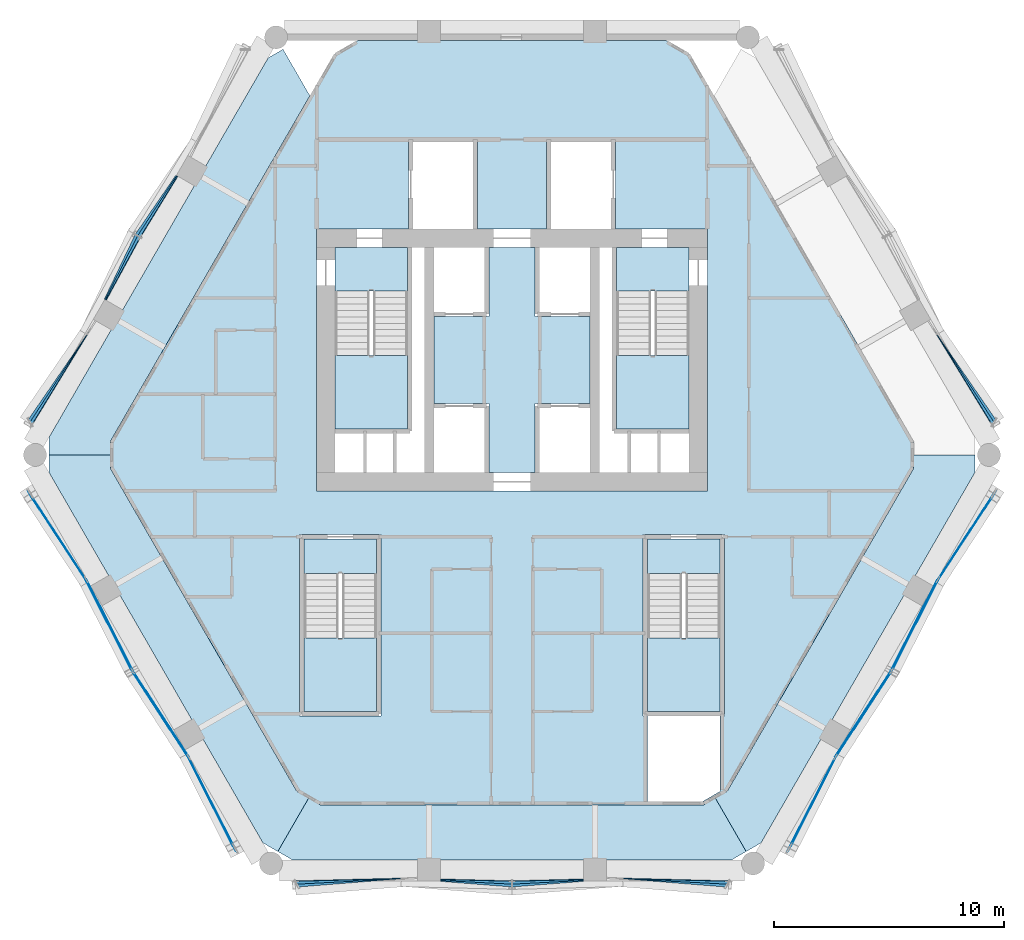
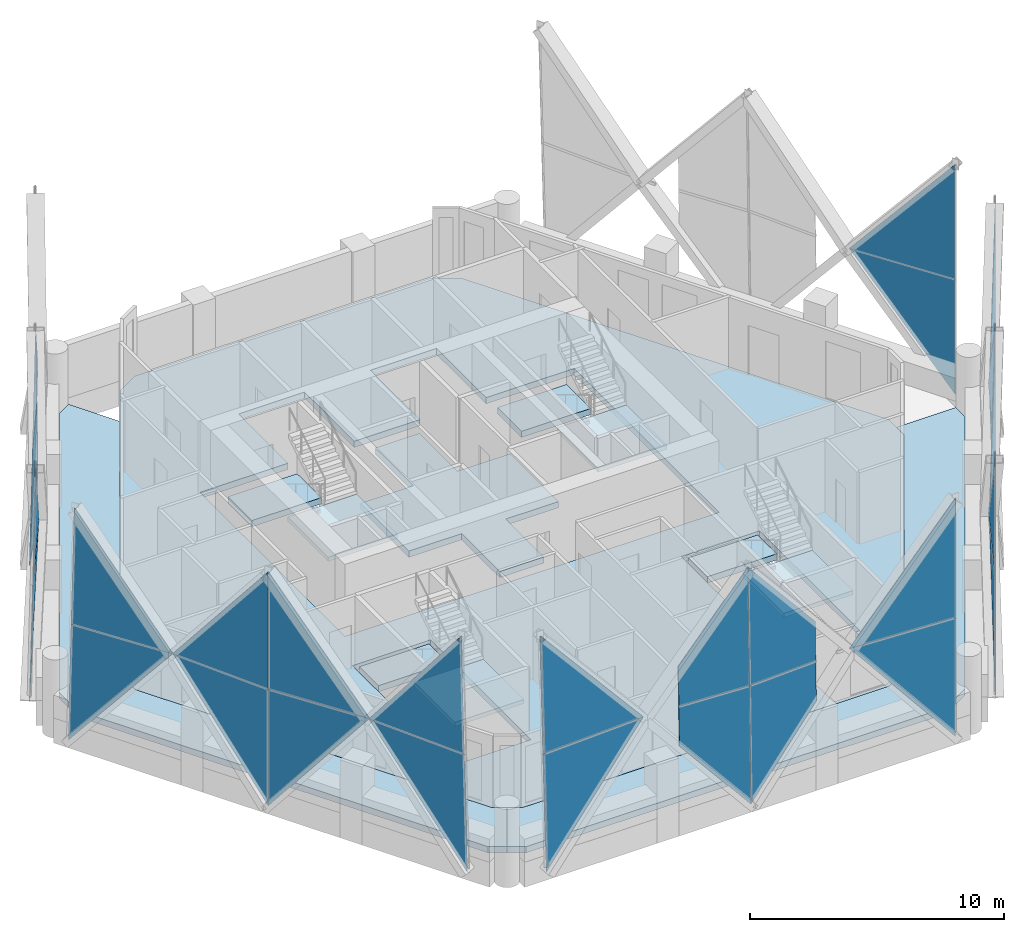
# One storey, part 8 of 19: 32 plates, 14 slabs, 22 elements without a shape of their own.
"""IFC4 building model written with IfcOpenShell, lengths in metres."""

from ifc_helpers import new_model, si_unit, direction, frame, origin, place, context, subcontext, project, spatial, polyline, outline, extrude, material, layer, layer_set, type_object, element, aggregate, save


model = new_model("IFC4")

# Units and contexts
model_context = context("Model", 3, precision=1e-05, world=origin(), true_north=direction((0.0, 1.0)))
body_context = subcontext(model_context, "Body", "Model", "MODEL_VIEW")
ifc_project = project(units=[si_unit("LENGTHUNIT", "METRE"), si_unit("AREAUNIT", "SQUARE_METRE"), si_unit("VOLUMEUNIT", "CUBIC_METRE"), si_unit("PLANEANGLEUNIT", "RADIAN"), si_unit("MASSUNIT", "GRAM", prefix="KILO")], contexts=[model_context])

# Site, building, storey
site_placement = place(None, origin())
site = spatial("IfcSite", under=ifc_project, at=site_placement, CompositionType="ELEMENT")
building_placement = place(site_placement, origin())
building = spatial("IfcBuilding", under=site, at=building_placement, Name="Ostrander Bayou Hotel Tower", CompositionType="ELEMENT")
storey_placement = place(building_placement, frame((0.0, 0.0, 164.5)))
storey = spatial("IfcBuildingStorey", under=building, at=storey_placement, Name="L40", CompositionType="ELEMENT", Elevation=164.5)

# Curtain wall, plate
ifc_material_1 = material(Name="Aluminium and clear glass", Category="aluminium")
curtain_wall_type = type_object("IfcCurtainWallType", Name="CW-LAT lattice glazing", PredefinedType="NOTDEFINED", material=ifc_material_1)
curtain_wall_1_placement = place(storey_placement, origin())
curtain_wall_1 = element("IfcCurtainWall", 1, at=curtain_wall_1_placement, inside=storey, type_object=curtain_wall_type, Name="CW-LAT L40 NW 1", PredefinedType="NOTDEFINED")
ifc_material_2 = material(Name="Clear laminated glass", Category="glass")
ifc_layer_1 = layer(ifc_material_2, 0.028076171875)
ifc_layer_set_1 = layer_set([ifc_layer_1], Name="CW-LA glazing panel 28 mm")
plate_type = type_object("IfcPlateType", Name="CW-LA glazing panel 28 mm", PredefinedType="CURTAIN_PANEL", material=ifc_layer_set_1)
plate_1_placement = place(storey_placement, frame((-14.6337890625, 12.044677734375, 3.140869140625), z_axis=(-0.838706203708, 0.544148703108, 0.021773671431), x_axis=(-0.362747177959, -0.528393744137, -0.767603111015)))
plate_1 = element("IfcPlate", 2, at=plate_1_placement, type_object=plate_type, Name="CW-LAT panel 3", PredefinedType="CURTAIN_PANEL", context=body_context, shape_type="SweptSolid", body=[
    extrude(outline(polyline([(0.0, 0.0), (4.873567382528961, -4.440892098500626e-16), (0.5496553047883483, 3.5999226632622934), (-1.446244545836942, 1.208158670764173), (0.0, 0.0)])), origin(), (0.0, 0.0, -1.0), 0.028076171875),
])

curtain_wall_2_placement = place(storey_placement, origin())
curtain_wall_2 = element("IfcCurtainWall", 3, at=curtain_wall_2_placement, inside=storey, type_object=curtain_wall_type, Name="CW-LAT L40 NW 2", PredefinedType="NOTDEFINED")
plate_2_placement = place(storey_placement, frame((-14.565185546875, 11.99951171875, 6.9150390625), z_axis=(-0.838712031431, 0.544140368898, 0.021757464643), x_axis=(-0.334157126185, -0.545779028489, 0.768416727486)))
plate_2 = element("IfcPlate", 4, at=plate_2_placement, type_object=plate_type, Name="CW-LAT panel 4", PredefinedType="CURTAIN_PANEL", context=body_context, shape_type="SweptSolid", body=[
    extrude(outline(polyline([(0.0, 0.0), (4.860470513680612, -4.440892098500626e-16), (0.5400360980131278, -3.604099784320524), (-1.453035166259682, -1.2095388296122298), (0.0, 0.0)])), origin(), (0.0, 0.0, -1.0), 0.028076171875),
])

curtain_wall_3_placement = place(storey_placement, origin())
curtain_wall_3 = element("IfcCurtainWall", 5, at=curtain_wall_3_placement, inside=storey, type_object=curtain_wall_type, Name="CW-LAT L40 NW 3", PredefinedType="NOTDEFINED")
plate_3_placement = place(storey_placement, frame((-17.74755859375, 6.651611328125, 3.14013671875), z_axis=(-0.890599187843, 0.454267158348, 0.021781539429), x_axis=(0.27621448921, 0.578330026162, -0.767619656334)))
plate_3 = element("IfcPlate", 6, at=plate_3_placement, type_object=plate_type, Name="CW-LAT panel 5", PredefinedType="CURTAIN_PANEL", context=body_context, shape_type="SweptSolid", body=[
    extrude(outline(polyline([(0.0, 0.0), (4.872507025392903, 4.440892098500626e-16), (0.5485411035930303, -3.5998579885854958), (-1.4475397913892378, -1.2077518386279047), (0.0, 0.0)])), origin(), (0.0, 0.0, -1.0), 0.028076171875),
])
aggregate(curtain_wall_3, [plate_3])

curtain_wall_4_placement = place(storey_placement, origin())
curtain_wall_4 = element("IfcCurtainWall", 7, at=curtain_wall_4_placement, inside=storey, type_object=curtain_wall_type, Name="CW-LAT L40 NW 4", PredefinedType="NOTDEFINED")
plate_4_placement = place(storey_placement, frame((-17.675048828125, 6.61279296875, 6.913330078125), z_axis=(-0.890605633304, 0.454254975202, 0.021772079155), x_axis=(0.305560183635, 0.562245694844, 0.768448275947)))
plate_4 = element("IfcPlate", 8, at=plate_4_placement, type_object=plate_type, Name="CW-LAT panel 6", PredefinedType="CURTAIN_PANEL", context=body_context, shape_type="SweptSolid", body=[
    extrude(outline(polyline([(0.0, 0.0), (4.862492048788745, 0.0), (0.5421109348723563, 3.604163682305116), (-1.4512184243264685, 1.209053943701842), (0.0, 0.0)])), origin(), (0.0, 0.0, -1.0), 0.028076171875),
])
aggregate(curtain_wall_4, [plate_4])

# Plate
plate_5_placement = place(storey_placement, frame((-18.42578125, 5.231201171875, 5.02490234375), z_axis=(-0.838687104847, 0.54414973043, 0.022472450604), x_axis=(-0.360163008419, -0.523215211783, -0.772352542253)))
plate_5 = element("IfcPlate", 9, at=plate_5_placement, type_object=plate_type, Name="CW-LAT panel 7", PredefinedType="CURTAIN_PANEL", context=body_context, shape_type="SweptSolid", body=[
    extrude(outline(polyline([(0.0, 0.0), (7.282943594112172, 0.0), (2.9771250498155175, 3.622247859559756), (0.0, 0.0)])), origin(), (0.0, 0.0, -1.0), 0.028076171875),
])

aggregate(curtain_wall_1, [plate_1, plate_5])

plate_6_placement = place(storey_placement, frame((-18.42578125, 5.231201171875, 5.02490234375), z_axis=(-0.838687790361, 0.5441501752, 0.022436067592), x_axis=(-0.336871820659, -0.550702393823, 0.763704294792)))
plate_6 = element("IfcPlate", 10, at=plate_6_placement, type_object=plate_type, Name="CW-LAT panel 8", PredefinedType="CURTAIN_PANEL", context=body_context, shape_type="SweptSolid", body=[
    extrude(outline(polyline([(0.0, 0.0), (7.365416219808797, -4.440892098500626e-16), (3.0258025898981904, -3.581685609498646), (0.0, 0.0)])), origin(), (0.0, 0.0, -1.0), 0.028076171875),
])

aggregate(curtain_wall_2, [plate_2, plate_6])

# Curtain wall, plate
curtain_wall_5_placement = place(storey_placement, origin())
curtain_wall_5 = element("IfcCurtainWall", 11, at=curtain_wall_5_placement, inside=storey, type_object=curtain_wall_type, Name="CW-LAT L40 SW 3", PredefinedType="NOTDEFINED")
plate_7_placement = place(storey_placement, frame((-18.540771484375, -5.55126953125, 5.02490234375), z_axis=(0.838233141436, 0.545310428689, 0.001317938432), x_axis=(-0.344835716412, 0.531939219116, -0.77338799826)))
plate_7 = element("IfcPlate", 12, at=plate_7_placement, type_object=plate_type, Name="CW-LAT panel 1", PredefinedType="CURTAIN_PANEL", context=body_context, shape_type="SweptSolid", body=[
    extrude(outline(polyline([(0.0, 0.0), (7.273192773424364, -4.440892098500626e-16), (2.833062866049212, 3.45629849667631), (0.0, 0.0)])), origin(), (0.0, 0.0, -1.0), 0.028076171875),
])

curtain_wall_6_placement = place(storey_placement, origin())
curtain_wall_6 = element("IfcCurtainWall", 13, at=curtain_wall_6_placement, inside=storey, type_object=curtain_wall_type, Name="CW-LAT L40 SW 4", PredefinedType="NOTDEFINED")
plate_8_placement = place(storey_placement, frame((-18.540771484375, -5.55126953125, 5.02490234375), z_axis=(0.838233100689, 0.545310402182, 0.001354320013), x_axis=(-0.333408673271, 0.510536330995, 0.79258520761)))
plate_8 = element("IfcPlate", 14, at=plate_8_placement, type_object=plate_type, Name="CW-LAT panel 2", PredefinedType="CURTAIN_PANEL", context=body_context, shape_type="SweptSolid", body=[
    extrude(outline(polyline([(0.0, 0.0), (7.097028743400542, 4.440892098500626e-16), (2.7250378025831816, -3.5420916808584337), (0.0, 0.0)])), origin(), (0.0, 0.0, -1.0), 0.028076171875),
])

curtain_wall_7_placement = place(storey_placement, origin())
curtain_wall_7 = element("IfcCurtainWall", 15, at=curtain_wall_7_placement, inside=storey, type_object=curtain_wall_type, Name="CW-LAT L40 SW 1", PredefinedType="NOTDEFINED")
plate_9_placement = place(storey_placement, frame((-18.540771484375, -5.55126953125, 5.02490234375), z_axis=(-0.891380267046, -0.453256240466, 0.0), x_axis=(0.281955535595, -0.554497827444, -0.782964389552)))
plate_9 = element("IfcPlate", 16, at=plate_9_placement, type_object=plate_type, Name="CW-LAT panel 3", PredefinedType="CURTAIN_PANEL", context=body_context, shape_type="SweptSolid", body=[
    extrude(outline(polyline([(0.0, 0.0), (7.184234781377837, 4.440892098500626e-16), (2.7800600901476358, 3.49912421744747), (0.0, 0.0)])), origin(), (0.0, 0.0, -1.0), 0.028076171875),
])

curtain_wall_8_placement = place(storey_placement, origin())
curtain_wall_8 = element("IfcCurtainWall", 17, at=curtain_wall_8_placement, inside=storey, type_object=curtain_wall_type, Name="CW-LAT L40 SW 2", PredefinedType="NOTDEFINED")
plate_10_placement = place(storey_placement, frame((-18.540771484375, -5.55126953125, 5.02490234375), z_axis=(0.891380267046, 0.453256240466, 0.0), x_axis=(0.281955535595, -0.554497827444, 0.782964389552)))
plate_10 = element("IfcPlate", 18, at=plate_10_placement, type_object=plate_type, Name="CW-LAT panel 4", PredefinedType="CURTAIN_PANEL", context=body_context, shape_type="SweptSolid", body=[
    extrude(outline(polyline([(0.0, 0.0), (7.184234781377837, 4.440892098500626e-16), (2.7800600901476358, 3.49912421744747), (0.0, 0.0)])), origin(), (0.0, 0.0, -1.0), 0.028076171875),
])

# Plate
plate_11_placement = place(storey_placement, frame((-14.077880859375, -13.281005859375, 5.02490234375), z_axis=(0.838208898287, 0.545349285167, 0.0), x_axis=(-0.339247857866, 0.521428341289, -0.782958093281)))
plate_11 = element("IfcPlate", 19, at=plate_11_placement, type_object=plate_type, Name="CW-LAT panel 5", PredefinedType="CURTAIN_PANEL", context=body_context, shape_type="SweptSolid", body=[
    extrude(outline(polyline([(0.0, 0.0), (7.184292554444511, 4.440892098500626e-16), (2.78015327973948, 3.499168794013894), (0.0, 0.0)])), origin(), (0.0, 0.0, -1.0), 0.028076171875),
])

aggregate(curtain_wall_5, [plate_7, plate_11])

plate_12_placement = place(storey_placement, frame((-14.077880859375, -13.281005859375, 5.02490234375), z_axis=(-0.838208898287, -0.545349285167, 0.0), x_axis=(-0.339247857866, 0.521428341289, 0.782958093281)))
plate_12 = element("IfcPlate", 20, at=plate_12_placement, type_object=plate_type, Name="CW-LAT panel 6", PredefinedType="CURTAIN_PANEL", context=body_context, shape_type="SweptSolid", body=[
    extrude(outline(polyline([(0.0, 0.0), (7.184292554444511, 4.440892098500626e-16), (2.78015327973948, 3.499168794013894), (0.0, 0.0)])), origin(), (0.0, 0.0, -1.0), 0.028076171875),
])

aggregate(curtain_wall_6, [plate_8, plate_12])

plate_13_placement = place(storey_placement, frame((-14.077880859375, -13.281005859375, 5.02490234375), z_axis=(0.891390706851, 0.453233772199, 0.001324944339), x_axis=(0.28823808157, -0.564627083974, -0.773378991424)))
plate_13 = element("IfcPlate", 21, at=plate_13_placement, type_object=plate_type, Name="CW-LAT panel 7", PredefinedType="CURTAIN_PANEL", context=body_context, shape_type="SweptSolid", body=[
    extrude(outline(polyline([(0.0, 0.0), (7.273277477630644, -8.881784197001252e-16), (2.8332754196929777, -3.4564577225397777), (0.0, 0.0)])), origin(), (0.0, 0.0, -1.0), 0.028076171875),
])

aggregate(curtain_wall_7, [plate_9, plate_13])

plate_14_placement = place(storey_placement, frame((-14.077880859375, -13.281005859375, 5.02490234375), z_axis=(0.891390706851, 0.453233772199, 0.001324944339), x_axis=(0.275438111823, -0.544030690456, 0.792568264819)))
plate_14 = element("IfcPlate", 22, at=plate_14_placement, type_object=plate_type, Name="CW-LAT panel 8", PredefinedType="CURTAIN_PANEL", context=body_context, shape_type="SweptSolid", body=[
    extrude(outline(polyline([(0.0, 0.0), (7.09718045711567, 0.0), (2.7252936573865543, 3.542220217963574), (0.0, 0.0)])), origin(), (0.0, 0.0, -1.0), 0.028076171875),
])

aggregate(curtain_wall_8, [plate_10, plate_14])

# Curtain wall, plate
curtain_wall_9_placement = place(storey_placement, origin())
curtain_wall_9 = element("IfcCurtainWall", 23, at=curtain_wall_9_placement, inside=storey, type_object=curtain_wall_type, Name="CW-LAT L40 S 3", PredefinedType="NOTDEFINED")
plate_15_placement = place(storey_placement, frame((-4.6826171875, -18.57275390625, 5.02490234375), z_axis=(0.051952675733, -0.998397162207, 0.022450522941), x_axis=(-0.633200233605, -0.050316774347, -0.772350753468)))
plate_15 = element("IfcPlate", 24, at=plate_15_placement, type_object=plate_type, Name="CW-LAT panel 1", PredefinedType="CURTAIN_PANEL", context=body_context, shape_type="SweptSolid", body=[
    extrude(outline(polyline([(0.0, 0.0), (7.282960461609365, -4.440892098500626e-16), (2.9771395071052904, -3.6222402142802745), (0.0, 0.0)])), origin(), (0.0, 0.0, -1.0), 0.028076171875),
])

curtain_wall_10_placement = place(storey_placement, origin())
curtain_wall_10 = element("IfcCurtainWall", 25, at=curtain_wall_10_placement, inside=storey, type_object=curtain_wall_type, Name="CW-LAT L40 S 4", PredefinedType="NOTDEFINED")
plate_16_placement = place(storey_placement, frame((-4.6826171875, -18.57275390625, 5.02490234375), z_axis=(0.051952675733, -0.998397162207, 0.022450522941), x_axis=(-0.645345472424, -0.016407931011, 0.76371460705)))
plate_16 = element("IfcPlate", 26, at=plate_16_placement, type_object=plate_type, Name="CW-LAT panel 2", PredefinedType="CURTAIN_PANEL", context=body_context, shape_type="SweptSolid", body=[
    extrude(outline(polyline([(0.0, 0.0), (7.36531676633521, 0.0), (3.025746076849099, 3.581737636001362), (0.0, 0.0)])), origin(), (0.0, 0.0, -1.0), 0.028076171875),
])

curtain_wall_11_placement = place(storey_placement, origin())
curtain_wall_11 = element("IfcCurtainWall", 27, at=curtain_wall_11_placement, inside=storey, type_object=curtain_wall_type, Name="CW-LAT L40 S 1", PredefinedType="NOTDEFINED")
plate_17_placement = place(storey_placement, frame((-3.113525390625, -18.695556640625, 3.14013671875), z_axis=(-0.051946075113, -0.998412039467, 0.021794603159), x_axis=(0.638979470686, -0.050001346993, -0.767596965432)))
plate_17 = element("IfcPlate", 28, at=plate_17_placement, type_object=plate_type, Name="CW-LAT panel 3", PredefinedType="CURTAIN_PANEL", context=body_context, shape_type="SweptSolid", body=[
    extrude(outline(polyline([(0.0, 0.0), (4.872654307709693, -8.881784197001252e-16), (0.5487810750206017, 3.5999758025622226), (-1.4473872031725952, 1.207931643170666), (0.0, 0.0)])), origin(), (0.0, 0.0, -1.0), 0.028076171875),
])

curtain_wall_12_placement = place(storey_placement, origin())
curtain_wall_12 = element("IfcCurtainWall", 29, at=curtain_wall_12_placement, inside=storey, type_object=curtain_wall_type, Name="CW-LAT L40 S 2", PredefinedType="NOTDEFINED")
plate_18_placement = place(storey_placement, frame((-3.110595703125, -18.61328125, 6.9130859375), z_axis=(-0.051957985021, -0.998411075644, 0.021810360459), x_axis=(0.639682952298, -0.016502431609, 0.768461703854)))
plate_18 = element("IfcPlate", 30, at=plate_18_placement, type_object=plate_type, Name="CW-LAT panel 4", PredefinedType="CURTAIN_PANEL", context=body_context, shape_type="SweptSolid", body=[
    extrude(outline(polyline([(0.0, 0.0), (4.8627208580123575, 0.0), (0.5421503175580813, -3.603938916075444), (-1.4510967581610617, -1.2088256014872891), (0.0, 0.0)])), origin(), (0.0, 0.0, -1.0), 0.028076171875),
])

# Plate
plate_19_placement = place(storey_placement, frame((3.114013671875, -18.695556640625, 3.14111328125), z_axis=(0.051936908243, -0.998412306925, 0.021804195531), x_axis=(-0.638939897308, -0.050001502209, -0.767629896112)))
plate_19 = element("IfcPlate", 31, at=plate_19_placement, type_object=plate_type, Name="CW-LAT panel 5", PredefinedType="CURTAIN_PANEL", context=body_context, shape_type="SweptSolid", body=[
    extrude(outline(polyline([(0.0, 0.0), (4.873715922213885, 0.0), (0.5496574353897024, -3.599753284938561), (-1.4460757597915972, -1.2079811596002257), (0.0, 0.0)])), origin(), (0.0, 0.0, -1.0), 0.028076171875),
])

aggregate(curtain_wall_9, [plate_15, plate_19])

plate_20_placement = place(storey_placement, frame((3.109130859375, -18.61328125, 6.914794921875), z_axis=(0.051969352102, -0.998410445109, 0.021812142012), x_axis=(-0.63967784493, -0.016507997582, 0.768465835754)))
plate_20 = element("IfcPlate", 32, at=plate_20_placement, type_object=plate_type, Name="CW-LAT panel 6", PredefinedType="CURTAIN_PANEL", context=body_context, shape_type="SweptSolid", body=[
    extrude(outline(polyline([(0.0, 0.0), (4.86047053408031, 0.0), (0.5398774352035769, 3.603911871585221), (-1.4530423055635533, 1.2091605368909208), (0.0, 0.0)])), origin(), (0.0, 0.0, -1.0), 0.028076171875),
])

aggregate(curtain_wall_10, [plate_16, plate_20])

plate_21_placement = place(storey_placement, frame((4.6826171875, -18.57275390625, 5.02490234375), z_axis=(-0.051952675733, -0.998397162207, 0.022450522941), x_axis=(0.633200233605, -0.050316774347, -0.772350753468)))
plate_21 = element("IfcPlate", 33, at=plate_21_placement, type_object=plate_type, Name="CW-LAT panel 7", PredefinedType="CURTAIN_PANEL", context=body_context, shape_type="SweptSolid", body=[
    extrude(outline(polyline([(0.0, 0.0), (7.282960461609365, 4.440892098500626e-16), (2.9771395071052904, 3.6222402142802745), (0.0, 0.0)])), origin(), (0.0, 0.0, -1.0), 0.028076171875),
])

aggregate(curtain_wall_11, [plate_17, plate_21])

plate_22_placement = place(storey_placement, frame((4.6826171875, -18.57275390625, 5.02490234375), z_axis=(-0.051952675733, -0.998397162207, 0.022450522941), x_axis=(0.645345472424, -0.016407931011, 0.76371460705)))
plate_22 = element("IfcPlate", 34, at=plate_22_placement, type_object=plate_type, Name="CW-LAT panel 8", PredefinedType="CURTAIN_PANEL", context=body_context, shape_type="SweptSolid", body=[
    extrude(outline(polyline([(0.0, 0.0), (7.36531676633521, 0.0), (3.025746076849099, -3.581737636001362), (0.0, 0.0)])), origin(), (0.0, 0.0, -1.0), 0.028076171875),
])

aggregate(curtain_wall_12, [plate_18, plate_22])

# Curtain wall, plate
curtain_wall_13_placement = place(storey_placement, origin())
curtain_wall_13 = element("IfcCurtainWall", 35, at=curtain_wall_13_placement, inside=storey, type_object=curtain_wall_type, Name="CW-LAT L40 SE 3", PredefinedType="NOTDEFINED")
plate_23_placement = place(storey_placement, frame((14.077880859375, -13.281005859375, 5.02490234375), z_axis=(-0.891390706851, 0.453233772199, 0.001324944339), x_axis=(-0.28823808157, -0.564627083974, -0.773378991424)))
plate_23 = element("IfcPlate", 36, at=plate_23_placement, type_object=plate_type, Name="CW-LAT panel 1", PredefinedType="CURTAIN_PANEL", context=body_context, shape_type="SweptSolid", body=[
    extrude(outline(polyline([(0.0, 0.0), (7.273277477630644, 8.881784197001252e-16), (2.8332754196929777, 3.4564577225397777), (0.0, 0.0)])), origin(), (0.0, 0.0, -1.0), 0.028076171875),
])

curtain_wall_14_placement = place(storey_placement, origin())
curtain_wall_14 = element("IfcCurtainWall", 37, at=curtain_wall_14_placement, inside=storey, type_object=curtain_wall_type, Name="CW-LAT L40 SE 4", PredefinedType="NOTDEFINED")
plate_24_placement = place(storey_placement, frame((14.077880859375, -13.281005859375, 5.02490234375), z_axis=(-0.891390706851, 0.453233772199, 0.001324944339), x_axis=(-0.275438111823, -0.544030690456, 0.792568264819)))
plate_24 = element("IfcPlate", 38, at=plate_24_placement, type_object=plate_type, Name="CW-LAT panel 2", PredefinedType="CURTAIN_PANEL", context=body_context, shape_type="SweptSolid", body=[
    extrude(outline(polyline([(0.0, 0.0), (7.09718045711567, 0.0), (2.7252936573865543, -3.542220217963574), (0.0, 0.0)])), origin(), (0.0, 0.0, -1.0), 0.028076171875),
])

curtain_wall_15_placement = place(storey_placement, origin())
curtain_wall_15 = element("IfcCurtainWall", 39, at=curtain_wall_15_placement, inside=storey, type_object=curtain_wall_type, Name="CW-LAT L40 SE 1", PredefinedType="NOTDEFINED")
plate_25_placement = place(storey_placement, frame((14.077880859375, -13.281005859375, 5.02490234375), z_axis=(0.838208898287, -0.545349285167, 0.0), x_axis=(0.339247857866, 0.521428341289, -0.782958093281)))
plate_25 = element("IfcPlate", 40, at=plate_25_placement, type_object=plate_type, Name="CW-LAT panel 3", PredefinedType="CURTAIN_PANEL", context=body_context, shape_type="SweptSolid", body=[
    extrude(outline(polyline([(0.0, 0.0), (7.184292554444511, 4.440892098500626e-16), (2.78015327973948, 3.499168794013894), (0.0, 0.0)])), origin(), (0.0, 0.0, -1.0), 0.028076171875),
])

curtain_wall_16_placement = place(storey_placement, origin())
curtain_wall_16 = element("IfcCurtainWall", 41, at=curtain_wall_16_placement, inside=storey, type_object=curtain_wall_type, Name="CW-LAT L40 SE 2", PredefinedType="NOTDEFINED")
plate_26_placement = place(storey_placement, frame((14.077880859375, -13.281005859375, 5.02490234375), z_axis=(-0.838208898287, 0.545349285167, 0.0), x_axis=(0.339247857866, 0.521428341289, 0.782958093281)))
plate_26 = element("IfcPlate", 42, at=plate_26_placement, type_object=plate_type, Name="CW-LAT panel 4", PredefinedType="CURTAIN_PANEL", context=body_context, shape_type="SweptSolid", body=[
    extrude(outline(polyline([(0.0, 0.0), (7.184292554444511, 4.440892098500626e-16), (2.78015327973948, 3.499168794013894), (0.0, 0.0)])), origin(), (0.0, 0.0, -1.0), 0.028076171875),
])

# Plate
plate_27_placement = place(storey_placement, frame((18.540771484375, -5.55126953125, 5.02490234375), z_axis=(-0.891380267046, 0.453256240466, 0.0), x_axis=(-0.281955535595, -0.554497827444, -0.782964389552)))
plate_27 = element("IfcPlate", 43, at=plate_27_placement, type_object=plate_type, Name="CW-LAT panel 5", PredefinedType="CURTAIN_PANEL", context=body_context, shape_type="SweptSolid", body=[
    extrude(outline(polyline([(0.0, 0.0), (7.184234781377837, 4.440892098500626e-16), (2.7800600901476358, 3.49912421744747), (0.0, 0.0)])), origin(), (0.0, 0.0, -1.0), 0.028076171875),
])

aggregate(curtain_wall_13, [plate_23, plate_27])

plate_28_placement = place(storey_placement, frame((18.540771484375, -5.55126953125, 5.02490234375), z_axis=(0.891380267046, -0.453256240466, 0.0), x_axis=(-0.281955535595, -0.554497827444, 0.782964389552)))
plate_28 = element("IfcPlate", 44, at=plate_28_placement, type_object=plate_type, Name="CW-LAT panel 6", PredefinedType="CURTAIN_PANEL", context=body_context, shape_type="SweptSolid", body=[
    extrude(outline(polyline([(0.0, 0.0), (7.184234781377837, 4.440892098500626e-16), (2.7800600901476358, 3.49912421744747), (0.0, 0.0)])), origin(), (0.0, 0.0, -1.0), 0.028076171875),
])

aggregate(curtain_wall_14, [plate_24, plate_28])

plate_29_placement = place(storey_placement, frame((18.540771484375, -5.55126953125, 5.02490234375), z_axis=(-0.838233141436, 0.545310428689, 0.001317938432), x_axis=(0.344835716412, 0.531939219116, -0.77338799826)))
plate_29 = element("IfcPlate", 45, at=plate_29_placement, type_object=plate_type, Name="CW-LAT panel 7", PredefinedType="CURTAIN_PANEL", context=body_context, shape_type="SweptSolid", body=[
    extrude(outline(polyline([(0.0, 0.0), (7.273192773424364, 4.440892098500626e-16), (2.833062866049212, -3.45629849667631), (0.0, 0.0)])), origin(), (0.0, 0.0, -1.0), 0.028076171875),
])

aggregate(curtain_wall_15, [plate_25, plate_29])

plate_30_placement = place(storey_placement, frame((18.540771484375, -5.55126953125, 5.02490234375), z_axis=(-0.838233100689, 0.545310402182, 0.001354320013), x_axis=(0.333408673271, 0.510536330995, 0.79258520761)))
plate_30 = element("IfcPlate", 46, at=plate_30_placement, type_object=plate_type, Name="CW-LAT panel 8", PredefinedType="CURTAIN_PANEL", context=body_context, shape_type="SweptSolid", body=[
    extrude(outline(polyline([(0.0, 0.0), (7.097028743400542, -4.440892098500626e-16), (2.7250378025831816, 3.5420916808584337), (0.0, 0.0)])), origin(), (0.0, 0.0, -1.0), 0.028076171875),
])

aggregate(curtain_wall_16, [plate_26, plate_30])

# Curtain wall, plate
curtain_wall_17_placement = place(storey_placement, origin())
curtain_wall_17 = element("IfcCurtainWall", 47, at=curtain_wall_17_placement, inside=storey, type_object=curtain_wall_type, Name="CW-LAT L40 NE 3", PredefinedType="NOTDEFINED")
plate_31_placement = place(storey_placement, frame((18.42578125, 5.231201171875, 5.02490234375), z_axis=(0.838687104847, 0.54414973043, 0.022472450604), x_axis=(0.360163008419, -0.523215211783, -0.772352542253)))
plate_31 = element("IfcPlate", 48, at=plate_31_placement, type_object=plate_type, Name="CW-LAT panel 1", PredefinedType="CURTAIN_PANEL", context=body_context, shape_type="SweptSolid", body=[
    extrude(outline(polyline([(0.0, 0.0), (7.282943594112172, 0.0), (2.9771250498155175, -3.622247859559756), (0.0, 0.0)])), origin(), (0.0, 0.0, -1.0), 0.028076171875),
])
aggregate(curtain_wall_17, [plate_31])

curtain_wall_18_placement = place(storey_placement, origin())
curtain_wall_18 = element("IfcCurtainWall", 49, at=curtain_wall_18_placement, inside=storey, type_object=curtain_wall_type, Name="CW-LAT L40 NE 4", PredefinedType="NOTDEFINED")
plate_32_placement = place(storey_placement, frame((18.42578125, 5.231201171875, 5.02490234375), z_axis=(0.838687790361, 0.5441501752, 0.022436067592), x_axis=(0.336871820659, -0.550702393823, 0.763704294792)))
plate_32 = element("IfcPlate", 50, at=plate_32_placement, type_object=plate_type, Name="CW-LAT panel 2", PredefinedType="CURTAIN_PANEL", context=body_context, shape_type="SweptSolid", body=[
    extrude(outline(polyline([(0.0, 0.0), (7.365416219808797, 4.440892098500626e-16), (3.0258025898981904, 3.581685609498646), (0.0, 0.0)])), origin(), (0.0, 0.0, -1.0), 0.028076171875),
])
aggregate(curtain_wall_18, [plate_32])

# Slabs
ifc_material_3 = material(Name="Concrete f'c 40 MPa", Category="concrete")
ifc_layer_2 = layer(ifc_material_3, 0.300048828125)
ifc_layer_set_2 = layer_set([ifc_layer_2], Name="SL1 floor slab 300 mm f'c 40 MPa")
slab_type_1 = type_object("IfcSlabType", Name="SL1 floor slab 300 mm f'c 40 MPa", PredefinedType="FLOOR", material=ifc_layer_set_2)
slab_1_placement = place(storey_placement, frame((0.0, 0.0, -0.300048828125)))
element("IfcSlab", 51, at=slab_1_placement, inside=storey, type_object=slab_type_1, Name="SL1 L40 1", PredefinedType="FLOOR", context=body_context, shape_type="SweptSolid", body=[
    extrude(outline(polyline([(7.758544921875, 17.300048828125), (17.475830078125, 0.468994140625), (17.475830078125, -0.73095703125), (9.370849609375, -14.76904296875), (8.331787109375, -15.369140625), (-8.331787109375, -15.369140625), (-9.370849609375, -14.76904296875), (-17.475830078125, -0.73095703125), (-17.475830078125, 0.468994140625), (-7.758544921875, 17.300048828125), (-6.71923828125, 17.89990234375), (6.71923828125, 17.89990234375), (7.758544921875, 17.300048828125)]), holes=[polyline([(9.050048828125, -11.5), (9.25, -11.5), (9.25, -3.60009765625), (5.699951171875, -3.60009765625), (5.699951171875, -11.5), (5.89990234375, -11.5), (5.89990234375, -15.218994140625), (8.29150390625, -15.218994140625), (9.050048828125, -14.78125), (9.050048828125, -11.5)]), polyline([(-8.5, -1.699951171875), (8.5, -1.699951171875), (8.5, 9.699951171875), (4.5, 9.699951171875), (4.5, 13.60009765625), (1.5, 13.60009765625), (1.5, 9.699951171875), (-1.5, 9.699951171875), (-1.5, 13.60009765625), (-4.5, 13.60009765625), (-4.5, 9.699951171875), (-8.5, 9.699951171875), (-8.5, -1.699951171875)]), polyline([(-5.699951171875, -3.60009765625), (-9.25, -3.60009765625), (-9.25, -11.5), (-5.699951171875, -11.5), (-5.699951171875, -3.60009765625)])]), origin(), (0.0, 0.0, 1.0), 0.300048828125),
])
slab_2_placement = place(storey_placement, frame((0.0, 0.0, -0.300048828125)))
element("IfcSlab", 52, at=slab_2_placement, inside=storey, type_object=slab_type_1, Name="cslab:L40:001", PredefinedType="FLOOR", context=body_context, shape_type="SweptSolid", body=[
    extrude(outline(polyline([(-3.39990234375, 5.89990234375), (-1.0, 5.89990234375), (-1.0, 8.89990234375), (1.0, 8.89990234375), (1.0, 5.89990234375), (3.39990234375, 5.89990234375), (3.39990234375, 2.10009765625), (1.0, 2.10009765625), (1.0, -0.89990234375), (-1.0, -0.89990234375), (-1.0, 2.10009765625), (-3.39990234375, 2.10009765625), (-3.39990234375, 5.89990234375)])), origin(), (0.0, 0.0, 1.0), 0.300048828125),
])
slab_3_placement = place(storey_placement, frame((0.0, 0.0, -0.300048828125)))
element("IfcSlab", 53, at=slab_3_placement, inside=storey, type_object=slab_type_1, Name="cslab:L40:002", PredefinedType="FLOOR", context=body_context, shape_type="SweptSolid", body=[
    extrude(outline(polyline([(-4.550048828125, 7.0), (-4.550048828125, 8.89990234375), (-7.699951171875, 8.89990234375), (-7.699951171875, 7.0), (-4.550048828125, 7.0)])), origin(), (0.0, 0.0, 1.0), 0.300048828125),
])
slab_4_placement = place(storey_placement, frame((0.0, 0.0, -0.300048828125)))
element("IfcSlab", 54, at=slab_4_placement, inside=storey, type_object=slab_type_1, Name="cslab:L40:003", PredefinedType="FLOOR", context=body_context, shape_type="SweptSolid", body=[
    extrude(outline(polyline([(7.699951171875, 7.0), (7.699951171875, 8.89990234375), (4.550048828125, 8.89990234375), (4.550048828125, 7.0), (7.699951171875, 7.0)])), origin(), (0.0, 0.0, 1.0), 0.300048828125),
])
slab_5_placement = place(storey_placement, frame((0.0, 0.0, -0.300048828125)))
element("IfcSlab", 55, at=slab_5_placement, inside=storey, type_object=slab_type_1, Name="cslab:L40:004", PredefinedType="FLOOR", context=body_context, shape_type="SweptSolid", body=[
    extrude(outline(polyline([(9.050048828125, -5.300048828125), (9.050048828125, -3.800048828125), (5.89990234375, -3.800048828125), (5.89990234375, -5.300048828125), (9.050048828125, -5.300048828125)])), origin(), (0.0, 0.0, 1.0), 0.300048828125),
])
slab_6_placement = place(storey_placement, frame((0.0, 0.0, -0.300048828125)))
element("IfcSlab", 56, at=slab_6_placement, inside=storey, type_object=slab_type_1, Name="cslab:L40:005", PredefinedType="FLOOR", context=body_context, shape_type="SweptSolid", body=[
    extrude(outline(polyline([(-5.89990234375, -5.300048828125), (-5.89990234375, -3.800048828125), (-9.050048828125, -3.800048828125), (-9.050048828125, -5.300048828125), (-5.89990234375, -5.300048828125)])), origin(), (0.0, 0.0, 1.0), 0.300048828125),
])
ifc_material_4 = material(Name="Concrete f'c 40 MPa", Category="concrete")
ifc_layer_3 = layer(ifc_material_4, 0.300048828125)
ifc_layer_set_3 = layer_set([ifc_layer_3], Name="SL4 loggia slab 300 mm f'c 40 MPa")
slab_type_2 = type_object("IfcSlabType", Name="SL4 loggia slab 300 mm f'c 40 MPa", PredefinedType="FLOOR", material=ifc_layer_set_3)
slab_7_placement = place(storey_placement, frame((0.0, 0.0, -0.300048828125)))
element("IfcSlab", 57, at=slab_7_placement, inside=storey, type_object=slab_type_2, Name="SL4 LOGGIA L40 NW 1", PredefinedType="FLOOR", context=body_context, shape_type="SweptSolid", body=[
    extrude(outline(polyline([(-20.160400390625, -0.130859375), (-20.160400390625, 0.619140625), (-17.4326171875, 5.34423828125), (-16.96240234375, 6.158203125), (-14.18408203125, 10.970703125), (-13.344482421875, 12.4248046875), (-10.616455078125, 17.14990234375), (-9.966796875, 17.52490234375), (-8.7978515625, 15.5), (-17.475830078125, 0.468994140625), (-17.475830078125, -0.130859375), (-20.160400390625, -0.130859375)])), origin(), (0.0, 0.0, 1.0), 0.300048828125),
])
slab_8_placement = place(storey_placement, frame((0.0, 0.0, -0.300048828125)))
element("IfcSlab", 58, at=slab_8_placement, inside=storey, type_object=slab_type_2, Name="SL4 LOGGIA L40 SW 1", PredefinedType="FLOOR", context=body_context, shape_type="SweptSolid", body=[
    extrude(outline(polyline([(-8.851318359375, -15.069091796875), (-10.193603515625, -17.39404296875), (-10.84326171875, -17.01904296875), (-15.094482421875, -9.655517578125), (-17.075927734375, -6.2236328125), (-17.5458984375, -5.40966796875), (-20.160400390625, -0.880859375), (-20.160400390625, -0.130859375), (-17.475830078125, -0.130859375), (-17.475830078125, -0.73095703125), (-9.370849609375, -14.76904296875), (-8.851318359375, -15.069091796875)])), origin(), (0.0, 0.0, 1.0), 0.300048828125),
])
slab_9_placement = place(storey_placement, frame((0.0, 0.0, -0.300048828125)))
element("IfcSlab", 59, at=slab_9_placement, inside=storey, type_object=slab_type_2, Name="SL4 LOGGIA L40 S 1", PredefinedType="FLOOR", context=body_context, shape_type="SweptSolid", body=[
    extrude(outline(polyline([(8.851318359375, -15.069091796875), (10.193603515625, -17.39404296875), (9.544189453125, -17.76904296875), (4.088134765625, -17.76904296875), (3.148193359375, -17.76904296875), (0.0, -17.76904296875), (-9.544189453125, -17.76904296875), (-10.193603515625, -17.39404296875), (-8.851318359375, -15.069091796875), (-8.331787109375, -15.369140625), (8.331787109375, -15.369140625), (8.851318359375, -15.069091796875)])), origin(), (0.0, 0.0, 1.0), 0.300048828125),
])
slab_10_placement = place(storey_placement, frame((0.0, 0.0, -0.300048828125)))
element("IfcSlab", 60, at=slab_10_placement, inside=storey, type_object=slab_type_2, Name="SL4 LOGGIA L40 SE 1", PredefinedType="FLOOR", context=body_context, shape_type="SweptSolid", body=[
    extrude(outline(polyline([(17.475830078125, -0.130859375), (20.160400390625, -0.130859375), (20.160400390625, -0.880859375), (18.25146484375, -4.1875), (17.075927734375, -6.2236328125), (13.927734375, -11.67626953125), (13.457763671875, -12.490478515625), (10.84326171875, -17.01904296875), (10.193603515625, -17.39404296875), (8.851318359375, -15.069091796875), (9.370849609375, -14.76904296875), (17.475830078125, -0.73095703125), (17.475830078125, -0.130859375)])), origin(), (0.0, 0.0, 1.0), 0.300048828125),
])

# Stair, slab
ifc_material_5 = material(Name="Concrete f'c 45 MPa", Category="concrete")
stair_type = type_object("IfcStairType", Name="ST1 exit stair 1500 mm f'c 45 MPa", PredefinedType="HALF_TURN_STAIR", material=ifc_material_5)
stair_1_placement = place(storey_placement, origin())
stair_1 = element("IfcStair", 61, at=stair_1_placement, inside=storey, type_object=stair_type, Name="L40 exit stair A", PredefinedType="HALF_TURN_STAIR")
ifc_material_6 = material(Name="Concrete f'c 45 MPa", Category="concrete")
ifc_layer_4 = layer(ifc_material_6, 0.199951171875)
ifc_layer_set_4 = layer_set([ifc_layer_4], Name="SL8 stair landing 200 mm f'c 45 MPa")
slab_type_3 = type_object("IfcSlabType", Name="SL8 stair landing 200 mm f'c 45 MPa", PredefinedType="LANDING", material=ifc_layer_set_4)
slab_11_placement = place(storey_placement, frame((0.0, 0.0, 1.675048828125)))
slab_11 = element("IfcSlab", 62, at=slab_11_placement, type_object=slab_type_3, Name="STA landing 1", PredefinedType="LANDING", context=body_context, shape_type="SweptSolid", body=[
    extrude(outline(polyline([(-7.699951171875, 4.199951171875), (-7.699951171875, 1.0), (-4.550048828125, 1.0), (-4.550048828125, 4.199951171875), (-7.699951171875, 4.199951171875)])), origin(), (0.0, 0.0, 1.0), 0.199951171875),
])
aggregate(stair_1, [slab_11])

stair_2_placement = place(storey_placement, origin())
stair_2 = element("IfcStair", 63, at=stair_2_placement, inside=storey, type_object=stair_type, Name="L40 exit stair B", PredefinedType="HALF_TURN_STAIR")
slab_12_placement = place(storey_placement, frame((0.0, 0.0, 1.675048828125)))
slab_12 = element("IfcSlab", 64, at=slab_12_placement, type_object=slab_type_3, Name="STB landing 1", PredefinedType="LANDING", context=body_context, shape_type="SweptSolid", body=[
    extrude(outline(polyline([(4.550048828125, 4.199951171875), (4.550048828125, 1.0), (7.699951171875, 1.0), (7.699951171875, 4.199951171875), (4.550048828125, 4.199951171875)])), origin(), (0.0, 0.0, 1.0), 0.199951171875),
])
aggregate(stair_2, [slab_12])

stair_3_placement = place(storey_placement, origin())
stair_3 = element("IfcStair", 65, at=stair_3_placement, inside=storey, type_object=stair_type, Name="L40 exit stair C", PredefinedType="HALF_TURN_STAIR")
slab_13_placement = place(storey_placement, frame((0.0, 0.0, 1.675048828125)))
slab_13 = element("IfcSlab", 66, at=slab_13_placement, type_object=slab_type_3, Name="STC landing 1", PredefinedType="LANDING", context=body_context, shape_type="SweptSolid", body=[
    extrude(outline(polyline([(5.89990234375, -8.10009765625), (5.89990234375, -11.300048828125), (9.050048828125, -11.300048828125), (9.050048828125, -8.10009765625), (5.89990234375, -8.10009765625)])), origin(), (0.0, 0.0, 1.0), 0.199951171875),
])
aggregate(stair_3, [slab_13])

stair_4_placement = place(storey_placement, origin())
stair_4 = element("IfcStair", 67, at=stair_4_placement, inside=storey, type_object=stair_type, Name="L40 exit stair D", PredefinedType="HALF_TURN_STAIR")
slab_14_placement = place(storey_placement, frame((0.0, 0.0, 1.675048828125)))
slab_14 = element("IfcSlab", 68, at=slab_14_placement, type_object=slab_type_3, Name="STD landing 1", PredefinedType="LANDING", context=body_context, shape_type="SweptSolid", body=[
    extrude(outline(polyline([(-9.050048828125, -8.10009765625), (-9.050048828125, -11.300048828125), (-5.89990234375, -11.300048828125), (-5.89990234375, -8.10009765625), (-9.050048828125, -8.10009765625)])), origin(), (0.0, 0.0, 1.0), 0.199951171875),
])
aggregate(stair_4, [slab_14])

save(model, "model.ifc")
